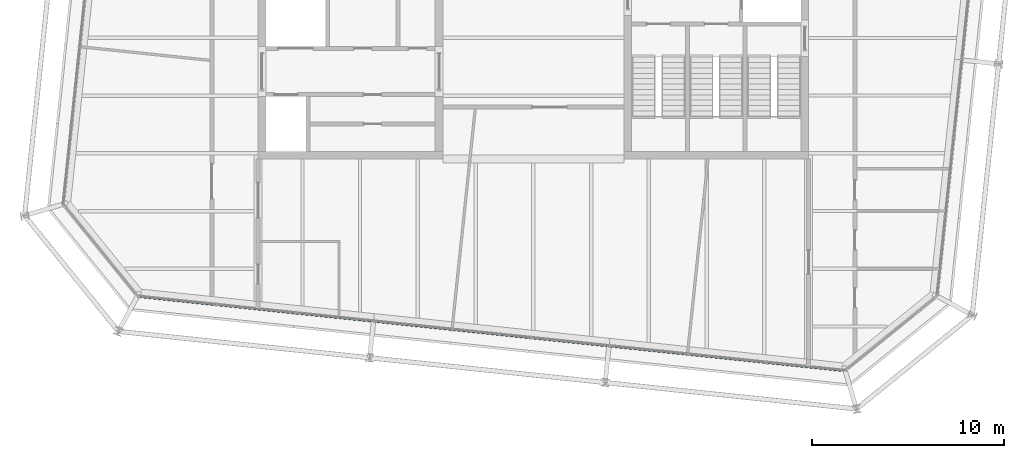
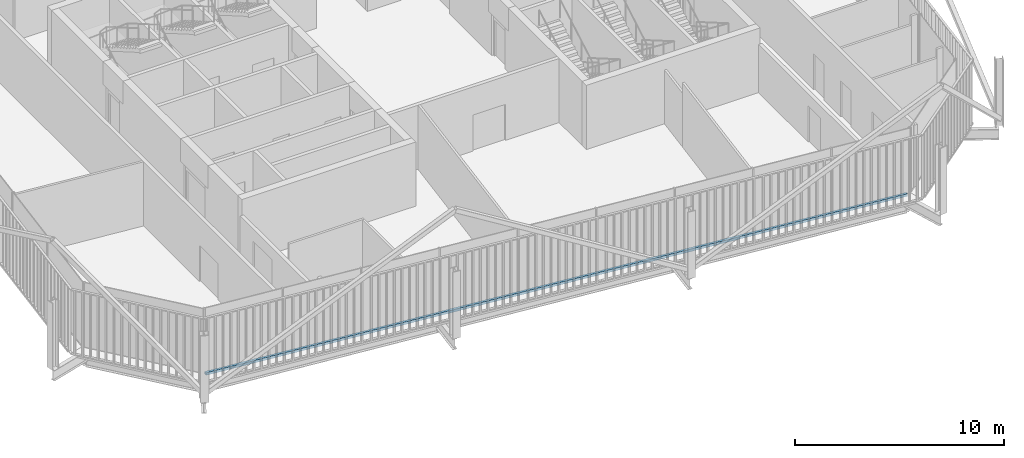
# One storey, part 4 of 21: 1 member, 1 element without a shape of its own.
"""IFC4 building model written with IfcOpenShell, lengths in metres."""

import ifcopenshell
import ifcopenshell.guid

model = None  # the IFC model being written
_history = None  # IfcOwnerHistory: only IFC2X3 demands one
_inside = {}  # id of a spatial element -> (the spatial element, [elements in it])
_under = {}  # id of a project, library or spatial element -> (it, [spatial elements below it])
_declared = {}  # id of a project -> (the project, [libraries it declares])
_typed = {}  # id of a type object -> (the type object, [elements of that type])
_made_of = {}  # id of a material, layer set ... -> (it, [elements and type objects made of it])


def new_model(schema):
    """Start an empty IFC model of exactly this schema.

    Asked for "IFC4X3", IfcOpenShell would pick the latest addendum, in which some entities
    have other attributes; the version numbers below select the first issue.
    IFC2X3 requires an IfcOwnerHistory on every rooted entity: one is made here for all.
    """
    global model, _history
    if schema == "IFC4X3":
        model = ifcopenshell.file(schema_version=(4, 3, 0, 0))
    else:
        model = ifcopenshell.file(schema=schema)
    _inside.clear()
    _under.clear()
    _declared.clear()
    _typed.clear()
    _made_of.clear()
    _history = None
    if model.schema == "IFC2X3":
        org = make("IfcOrganization", Name="unknown")
        user = make(
            "IfcPersonAndOrganization",
            ThePerson=make("IfcPerson", FamilyName="unknown"),
            TheOrganization=org,
        )
        app = make(
            "IfcApplication",
            ApplicationDeveloper=org,
            Version="unknown",
            ApplicationFullName="unknown",
            ApplicationIdentifier="unknown",
        )
        _history = make(
            "IfcOwnerHistory",
            OwningUser=user,
            OwningApplication=app,
            ChangeAction="ADDED",
            CreationDate=0,
        )
    return model


def make(cls, **values):
    """One entity of the class cls with the attributes given. An attribute that is None is left unset."""
    return model.create_entity(
        cls, **{name: value for name, value in values.items() if value is not None}
    )


def rooted(cls, **values):
    """An entity with a GlobalId (a new one), such as an element, a storey or a relation."""
    return make(cls, GlobalId=ifcopenshell.guid.new(), OwnerHistory=_history, **values)


def si_unit(unit_type, name, prefix=None):
    """IfcSIUnit, for example si_unit("LENGTHUNIT", "METRE", prefix="MILLI")."""
    return make("IfcSIUnit", UnitType=unit_type, Prefix=prefix, Name=name)


def assignment(units):
    """IfcUnitAssignment: the units of a project."""
    return None if units is None else make("IfcUnitAssignment", Units=units)


def point(xyz):
    """IfcCartesianPoint."""
    return None if xyz is None else make("IfcCartesianPoint", Coordinates=xyz)


def direction(xyz):
    """IfcDirection."""
    return None if xyz is None else make("IfcDirection", DirectionRatios=xyz)


def frame(location, z_axis=None, x_axis=None):
    """IfcAxis2Placement3D, a coordinate frame: its origin and axes. An axis left out is left unset."""
    return make(
        "IfcAxis2Placement3D",
        Location=point(location),
        Axis=direction(z_axis),
        RefDirection=direction(x_axis),
    )


def frame_2d(location, x_axis=None):
    """IfcAxis2Placement2D, a coordinate frame in the plane: its origin and x axis."""
    return make(
        "IfcAxis2Placement2D", Location=point(location), RefDirection=direction(x_axis)
    )


def origin():
    """The frame at (0, 0, 0) with its axes left unset."""
    return frame((0.0, 0.0, 0.0))


def origin_2d():
    """The frame at (0, 0) in the plane with its x axis left unset."""
    return frame_2d((0.0, 0.0))


def place(relative_to, where):
    """IfcLocalPlacement: puts the frame where relative to a parent placement (None: the world)."""
    return make(
        "IfcLocalPlacement", PlacementRelTo=relative_to, RelativePlacement=where
    )


def context(
    kind, dimensions, precision=None, world=None, true_north=None, identifier=None
):
    """IfcGeometricRepresentationContext, for example the 3D "Model" context."""
    return make(
        "IfcGeometricRepresentationContext",
        ContextIdentifier=identifier,
        ContextType=kind,
        CoordinateSpaceDimension=dimensions,
        Precision=precision,
        WorldCoordinateSystem=world,
        TrueNorth=true_north,
    )


def subcontext(parent, identifier, kind, view, scale=None):
    """IfcGeometricRepresentationSubContext, for example "Body" below "Model"."""
    return make(
        "IfcGeometricRepresentationSubContext",
        ContextIdentifier=identifier,
        ContextType=kind,
        ParentContext=parent,
        TargetScale=scale,
        TargetView=view,
    )


def project(units=None, contexts=None):
    """IfcProject with its units and contexts."""
    return rooted(
        "IfcProject",
        Name="project",
        RepresentationContexts=contexts,
        UnitsInContext=assignment(units),
    )


def spatial(cls, under=None, at=None, **own):
    """A site, building, storey or space (cls), placed at a placement, below another one or the project."""
    s = rooted(cls, ObjectPlacement=at, **own)
    if under is not None:
        _under.setdefault(under.id(), (under, []))[1].append(s)
    return s


def profile(cls, at=None, kind="AREA", **sizes):
    """A parametric profile (cls). Its sizes go by their IFC names, for example OverallWidth=200.0."""
    return make(cls, ProfileType=kind, Position=at, **sizes)


def rectangle(**sizes):
    """IfcRectangleProfileDef."""
    return profile("IfcRectangleProfileDef", **sizes)


def extrude(swept, where, along, depth):
    """IfcExtrudedAreaSolid: the profile swept, set in the frame where, extruded along a direction by depth."""
    return make(
        "IfcExtrudedAreaSolid",
        SweptArea=swept,
        Position=where,
        ExtrudedDirection=direction(along),
        Depth=depth,
    )


def shape(context_of_items, identifier, shape_type, items):
    """IfcShapeRepresentation: the items that make up one representation, for example the "Body"."""
    return make(
        "IfcShapeRepresentation",
        ContextOfItems=context_of_items,
        RepresentationIdentifier=identifier,
        RepresentationType=shape_type,
        Items=items,
    )


def material(Name=None, Category=None):
    """IfcMaterial."""
    return make("IfcMaterial", Name=Name, Category=Category)


def layer(
    of_material, thickness, ventilated=None, Name=None, Category=None, Priority=None
):
    """IfcMaterialLayer: one layer of a wall or slab, of a material (None: an air gap)."""
    return make(
        "IfcMaterialLayer",
        Material=of_material,
        LayerThickness=thickness,
        IsVentilated=ventilated,
        Name=Name,
        Category=Category,
        Priority=Priority,
    )


def layer_set(layers, Name=None):
    """IfcMaterialLayerSet."""
    return make("IfcMaterialLayerSet", MaterialLayers=layers, LayerSetName=Name)


def material_profile(
    of_material, cross_section, Name=None, Category=None, Priority=None
):
    """IfcMaterialProfile: a cross section and its material."""
    return make(
        "IfcMaterialProfile",
        Name=Name,
        Material=of_material,
        Profile=cross_section,
        Priority=Priority,
        Category=Category,
    )


def profile_set(profiles, Name=None, composite=None):
    """IfcMaterialProfileSet."""
    return make(
        "IfcMaterialProfileSet",
        Name=Name,
        MaterialProfiles=profiles,
        CompositeProfile=composite,
    )


def made_of(thing, what):
    """Note that an element or type object is made of a material, layer set ...; save() writes the relation."""
    if what is not None:
        _made_of.setdefault(what.id(), (what, []))[1].append(thing)
    return thing


def type_object(cls, material=None, **own):
    """A type object (cls), such as IfcWallType, which elements share."""
    return made_of(rooted(cls, **own), material)


def element(
    cls,
    number,
    at=None,
    inside=None,
    cuts=None,
    type_object=None,
    material=None,
    context=None,
    identifier="Body",
    shape_type=None,
    held_by="IfcProductDefinitionShape",
    body=None,
    shapes=None,
    **own,
):
    """One element of the class cls, such as IfcWall. Its Tag is "e" and its number.

    at: its placement. inside: the storey or other place that contains it. cuts: it is an
    opening in that element (IfcRelVoidsElement). A single representation is given by context,
    identifier, shape_type and body (its items); several are given by shapes. held_by: the class
    of the entity that holds the representations. save() writes the other relations.
    """
    e = rooted(cls, Tag="e%d" % number, ObjectPlacement=at, **own)
    if body is not None:
        shapes = [shape(context, identifier, shape_type, body)]
    if shapes is not None:
        e.Representation = make(held_by, Representations=shapes)
    if inside is not None:
        _inside.setdefault(inside.id(), (inside, []))[1].append(e)
    if cuts is not None:
        rooted(
            "IfcRelVoidsElement", RelatingBuildingElement=cuts, RelatedOpeningElement=e
        )
    if type_object is not None:
        _typed.setdefault(type_object.id(), (type_object, []))[1].append(e)
    return made_of(e, material)


def aggregate(whole, parts):
    """IfcRelAggregates: a whole, such as a stair, and the parts it consists of."""
    return rooted("IfcRelAggregates", RelatingObject=whole, RelatedObjects=parts)


def save(model, path):
    """Write the relations noted so far, then the file.

    IfcRelAggregates (storeys below a building ...), IfcRelContainedInSpatialStructure (elements
    in a storey), IfcRelDefinesByType, IfcRelAssociatesMaterial and IfcRelDeclares: one each for
    every whole, place, type object, material and project.
    """
    for whole, parts in _under.values():
        aggregate(whole, parts)
    for where, things in _inside.values():
        rooted(
            "IfcRelContainedInSpatialStructure",
            RelatedElements=things,
            RelatingStructure=where,
        )
    for kind, things in _typed.values():
        rooted("IfcRelDefinesByType", RelatedObjects=things, RelatingType=kind)
    for what, things in _made_of.values():
        rooted("IfcRelAssociatesMaterial", RelatedObjects=things, RelatingMaterial=what)
    for by, libraries in _declared.values():
        rooted("IfcRelDeclares", RelatingContext=by, RelatedDefinitions=libraries)
    model.write(path)


model = new_model("IFC4")

# Units and contexts
model_context = context("Model", 3, precision=1e-05, world=origin(), true_north=direction((0.0, 1.0)))
body_context = subcontext(model_context, "Body", "Model", "MODEL_VIEW")
ifc_project = project(units=[si_unit("LENGTHUNIT", "METRE"), si_unit("AREAUNIT", "SQUARE_METRE"), si_unit("VOLUMEUNIT", "CUBIC_METRE"), si_unit("PLANEANGLEUNIT", "RADIAN"), si_unit("MASSUNIT", "GRAM", prefix="KILO")], contexts=[model_context])

# Site, building, storey
site_placement = place(None, origin())
site = spatial("IfcSite", under=ifc_project, at=site_placement, CompositionType="ELEMENT")
building_placement = place(site_placement, origin())
building = spatial("IfcBuilding", under=site, at=building_placement, Name="Millrace Tower", CompositionType="ELEMENT")
storey_placement = place(building_placement, frame((0.0, 0.0, 299.39990234375)))
storey = spatial("IfcBuildingStorey", under=building, at=storey_placement, Name="L69", CompositionType="ELEMENT", Elevation=299.39990234375)

# Curtain wall, member
ifc_material_1 = material(Name="Aluminium and glass", Category="aluminium")
ifc_layer = layer(ifc_material_1, 0.14990234375)
ifc_layer_set = layer_set([ifc_layer], Name="Aluminium and glass")
curtain_wall_type = type_object("IfcCurtainWallType", Name="CW-1 office vision curtain wall", PredefinedType="NOTDEFINED", material=ifc_layer_set)
curtain_wall_placement = place(storey_placement, origin())
curtain_wall = element("IfcCurtainWall", 1, at=curtain_wall_placement, inside=storey, type_object=curtain_wall_type, Name="Curtain wall E-F02 L69", PredefinedType="NOTDEFINED")
ifc_material_2 = material(Name="Aluminium", Category="aluminium")
ifc_material_profile = material_profile(ifc_material_2, rectangle(XDim=0.14990234375, YDim=0.139892578125, at=origin_2d()))
ifc_profile_set = profile_set([ifc_material_profile], Name="Aluminium")
member_type = type_object("IfcMemberType", Name="CW-1 office vision curtain wall transom", PredefinedType="USERDEFINED", material=ifc_profile_set)
member_placement = place(storey_placement, frame((-20.435302734375, -16.431884765625, 0.070068359375), z_axis=(0.994521952886, -0.104527916025, 0.0), x_axis=(0.104527916025, 0.994521952886, 0.0)))
member = element("IfcMember", 2, at=member_placement, type_object=member_type, Name="CW1 transom E-F02.1", ObjectType="TRANSOM", PredefinedType="USERDEFINED", context=body_context, shape_type="SweptSolid", body=[
    extrude(rectangle(XDim=0.14990234375, YDim=0.139892578125, at=origin_2d()), origin(), (0.0, 0.0, 1.0), 36.699951171875),
])
aggregate(curtain_wall, [member])

save(model, "model.ifc")
